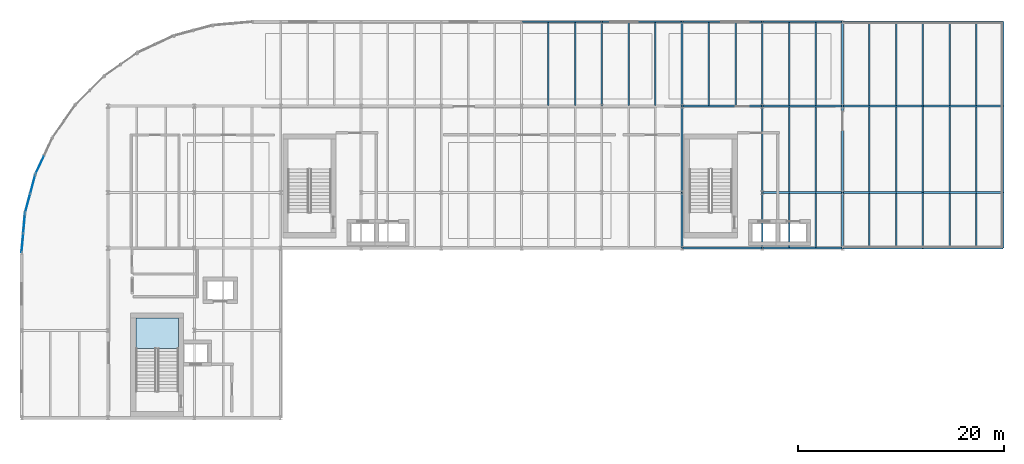
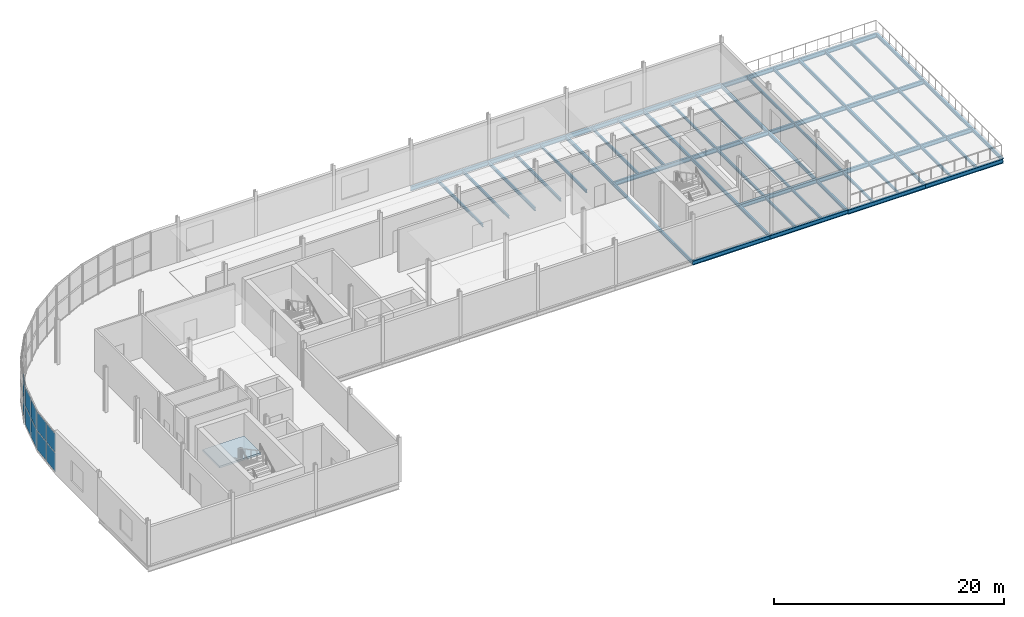
# One storey, part 8 of 15: 57 beams, 10 plates, 1 slab, 4 elements without a shape of their own.
"""IFC4 building model written with IfcOpenShell, lengths in metres."""

from ifc_helpers import new_model, si_unit, direction, frame, origin, origin_2d, place, context, subcontext, project, spatial, polyline, rectangle, i_section, outline, extrude, material, layer, layer_set, material_profile, profile_set, type_object, element, aggregate, save


model = new_model("IFC4")

# Units and contexts
model_context = context("Model", 3, precision=1e-05, world=origin(), true_north=direction((0.0, 1.0)))
body_context = subcontext(model_context, "Body", "Model", "MODEL_VIEW")
ifc_project = project(units=[si_unit("LENGTHUNIT", "METRE"), si_unit("AREAUNIT", "SQUARE_METRE"), si_unit("VOLUMEUNIT", "CUBIC_METRE"), si_unit("PLANEANGLEUNIT", "RADIAN"), si_unit("MASSUNIT", "GRAM", prefix="KILO")], contexts=[model_context])

# Site, building, storey
site_placement = place(None, origin())
site = spatial("IfcSite", under=ifc_project, at=site_placement, CompositionType="ELEMENT")
building_placement = place(site_placement, origin())
building = spatial("IfcBuilding", under=site, at=building_placement, Name="Sefraquen Railside Congress Hotel", CompositionType="ELEMENT")
storey_placement = place(building_placement, frame((0.0, 0.0, 46.800048828125)))
storey = spatial("IfcBuildingStorey", under=building, at=storey_placement, Name="L11", CompositionType="ELEMENT", Elevation=46.800048828125)

# Beams
ifc_material_1 = material(Name="Steel S355JR", Category="steel")
ifc_material_profile_1 = material_profile(ifc_material_1, i_section(OverallWidth=0.169921875, OverallDepth=0.360107421875, WebThickness=0.008056640625, FlangeThickness=0.0126953125, FilletRadius=0.01806640625, at=origin_2d()), Name="IPE 360")
ifc_profile_set_1 = profile_set([ifc_material_profile_1], Name="Steel S355JR")
beam_type_1 = type_object("IfcBeamType", Name="TB-BM-360", PredefinedType="BEAM", material=ifc_profile_set_1)
beam_1_placement = place(storey_placement, frame((56.39990234375, 109.800048828125, -0.43994140625), z_axis=(0.0, 1.0, 0.0), x_axis=(-1.0, 0.0, 0.0)))
element("IfcBeam", 1, at=beam_1_placement, inside=storey, type_object=beam_type_1, Name="Floor beam BM-L11-2219", PredefinedType="BEAM", context=body_context, shape_type="SweptSolid", body=[
    extrude(i_section(OverallWidth=0.169921875, OverallDepth=0.360107421875, WebThickness=0.008056640625, FlangeThickness=0.0126953125, FilletRadius=0.01806640625, at=origin_2d()), origin(), (0.0, 0.0, 1.0), 8.199951171875),
])
beam_2_placement = place(storey_placement, frame((64.199951171875, 96.0, -0.43994140625), z_axis=(0.0, 1.0, 0.0), x_axis=(-1.0, 0.0, 0.0)))
element("IfcBeam", 2, at=beam_2_placement, inside=storey, type_object=beam_type_1, Name="Floor beam BM-L11-2220", PredefinedType="BEAM", context=body_context, shape_type="SweptSolid", body=[
    extrude(i_section(OverallWidth=0.169921875, OverallDepth=0.360107421875, WebThickness=0.008056640625, FlangeThickness=0.0126953125, FilletRadius=0.01806640625, at=origin_2d()), origin(), (0.0, 0.0, 1.0), 5.39990234375),
])
beam_3_placement = place(storey_placement, frame((64.199951171875, 101.39990234375, -0.43994140625), z_axis=(0.0, 1.0, 0.0), x_axis=(-1.0, 0.0, 0.0)))
element("IfcBeam", 3, at=beam_3_placement, inside=storey, type_object=beam_type_1, Name="Floor beam BM-L11-2221", PredefinedType="BEAM", context=body_context, shape_type="SweptSolid", body=[
    extrude(i_section(OverallWidth=0.169921875, OverallDepth=0.360107421875, WebThickness=0.008056640625, FlangeThickness=0.0126953125, FilletRadius=0.01806640625, at=origin_2d()), origin(), (0.0, 0.0, 1.0), 8.400146484375),
])
beam_4_placement = place(storey_placement, frame((64.199951171875, 109.800048828125, -0.43994140625), z_axis=(0.0, 1.0, 0.0), x_axis=(-1.0, 0.0, 0.0)))
element("IfcBeam", 4, at=beam_4_placement, inside=storey, type_object=beam_type_1, Name="Floor beam BM-L11-2222", PredefinedType="BEAM", context=body_context, shape_type="SweptSolid", body=[
    extrude(i_section(OverallWidth=0.169921875, OverallDepth=0.360107421875, WebThickness=0.008056640625, FlangeThickness=0.0126953125, FilletRadius=0.01806640625, at=origin_2d()), origin(), (0.0, 0.0, 1.0), 8.199951171875),
])
beam_5_placement = place(storey_placement, frame((72.0, 96.0, -0.43994140625), z_axis=(0.0, 1.0, 0.0), x_axis=(-1.0, 0.0, 0.0)))
element("IfcBeam", 5, at=beam_5_placement, inside=storey, type_object=beam_type_1, Name="Floor beam BM-L11-2223", PredefinedType="BEAM", context=body_context, shape_type="SweptSolid", body=[
    extrude(i_section(OverallWidth=0.169921875, OverallDepth=0.360107421875, WebThickness=0.008056640625, FlangeThickness=0.0126953125, FilletRadius=0.01806640625, at=origin_2d()), origin(), (0.0, 0.0, 1.0), 5.39990234375),
])
beam_6_placement = place(storey_placement, frame((72.0, 101.39990234375, -0.43994140625), z_axis=(0.0, 1.0, 0.0), x_axis=(-1.0, 0.0, 0.0)))
element("IfcBeam", 6, at=beam_6_placement, inside=storey, type_object=beam_type_1, Name="Floor beam BM-L11-2224", PredefinedType="BEAM", context=body_context, shape_type="SweptSolid", body=[
    extrude(i_section(OverallWidth=0.169921875, OverallDepth=0.360107421875, WebThickness=0.008056640625, FlangeThickness=0.0126953125, FilletRadius=0.01806640625, at=origin_2d()), origin(), (0.0, 0.0, 1.0), 8.400146484375),
])
beam_7_placement = place(storey_placement, frame((72.0, 109.800048828125, -0.43994140625), z_axis=(0.0, 1.0, 0.0), x_axis=(-1.0, 0.0, 0.0)))
element("IfcBeam", 7, at=beam_7_placement, inside=storey, type_object=beam_type_1, Name="Floor beam BM-L11-2225", PredefinedType="BEAM", context=body_context, shape_type="SweptSolid", body=[
    extrude(i_section(OverallWidth=0.169921875, OverallDepth=0.360107421875, WebThickness=0.008056640625, FlangeThickness=0.0126953125, FilletRadius=0.01806640625, at=origin_2d()), origin(), (0.0, 0.0, 1.0), 8.199951171875),
])
beam_8_placement = place(storey_placement, frame((79.800048828125, 96.0, -0.5), z_axis=(0.0, 1.0, 0.0), x_axis=(-1.0, 0.0, 0.0)))
element("IfcBeam", 8, at=beam_8_placement, inside=storey, type_object=beam_type_1, Name="Floor beam BM-L11-2226", PredefinedType="BEAM", context=body_context, shape_type="SweptSolid", body=[
    extrude(i_section(OverallWidth=0.169921875, OverallDepth=0.360107421875, WebThickness=0.008056640625, FlangeThickness=0.0126953125, FilletRadius=0.01806640625, at=origin_2d()), origin(), (0.0, 0.0, 1.0), 5.39990234375),
])
beam_9_placement = place(storey_placement, frame((79.800048828125, 101.39990234375, -0.5), z_axis=(0.0, 1.0, 0.0), x_axis=(-1.0, 0.0, 0.0)))
element("IfcBeam", 9, at=beam_9_placement, inside=storey, type_object=beam_type_1, Name="Floor beam BM-L11-2227", PredefinedType="BEAM", context=body_context, shape_type="SweptSolid", body=[
    extrude(i_section(OverallWidth=0.169921875, OverallDepth=0.360107421875, WebThickness=0.008056640625, FlangeThickness=0.0126953125, FilletRadius=0.01806640625, at=origin_2d()), origin(), (0.0, 0.0, 1.0), 8.400146484375),
])
beam_10_placement = place(storey_placement, frame((79.800048828125, 109.800048828125, -0.5), z_axis=(0.0, 1.0, 0.0), x_axis=(-1.0, 0.0, 0.0)))
element("IfcBeam", 10, at=beam_10_placement, inside=storey, type_object=beam_type_1, Name="Floor beam BM-L11-2228", PredefinedType="BEAM", context=body_context, shape_type="SweptSolid", body=[
    extrude(i_section(OverallWidth=0.169921875, OverallDepth=0.360107421875, WebThickness=0.008056640625, FlangeThickness=0.0126953125, FilletRadius=0.01806640625, at=origin_2d()), origin(), (0.0, 0.0, 1.0), 8.199951171875),
])
beam_11_placement = place(storey_placement, frame((87.60009765625, 96.0, -0.5), z_axis=(0.0, 1.0, 0.0), x_axis=(-1.0, 0.0, 0.0)))
element("IfcBeam", 11, at=beam_11_placement, inside=storey, type_object=beam_type_1, Name="Floor beam BM-L11-2229", PredefinedType="BEAM", context=body_context, shape_type="SweptSolid", body=[
    extrude(i_section(OverallWidth=0.169921875, OverallDepth=0.360107421875, WebThickness=0.008056640625, FlangeThickness=0.0126953125, FilletRadius=0.01806640625, at=origin_2d()), origin(), (0.0, 0.0, 1.0), 5.39990234375),
])
beam_12_placement = place(storey_placement, frame((87.60009765625, 101.39990234375, -0.5), z_axis=(0.0, 1.0, 0.0), x_axis=(-1.0, 0.0, 0.0)))
element("IfcBeam", 12, at=beam_12_placement, inside=storey, type_object=beam_type_1, Name="Floor beam BM-L11-2230", PredefinedType="BEAM", context=body_context, shape_type="SweptSolid", body=[
    extrude(i_section(OverallWidth=0.169921875, OverallDepth=0.360107421875, WebThickness=0.008056640625, FlangeThickness=0.0126953125, FilletRadius=0.01806640625, at=origin_2d()), origin(), (0.0, 0.0, 1.0), 8.400146484375),
])
beam_13_placement = place(storey_placement, frame((87.60009765625, 109.800048828125, -0.5), z_axis=(0.0, 1.0, 0.0), x_axis=(-1.0, 0.0, 0.0)))
element("IfcBeam", 13, at=beam_13_placement, inside=storey, type_object=beam_type_1, Name="Floor beam BM-L11-2231", PredefinedType="BEAM", context=body_context, shape_type="SweptSolid", body=[
    extrude(i_section(OverallWidth=0.169921875, OverallDepth=0.360107421875, WebThickness=0.008056640625, FlangeThickness=0.0126953125, FilletRadius=0.01806640625, at=origin_2d()), origin(), (0.0, 0.0, 1.0), 8.199951171875),
])
beam_14_placement = place(storey_placement, frame((95.39990234375, 96.0, -0.5), z_axis=(0.0, 1.0, 0.0), x_axis=(-1.0, 0.0, 0.0)))
element("IfcBeam", 14, at=beam_14_placement, inside=storey, type_object=beam_type_1, Name="Floor beam BM-L11-2232", PredefinedType="BEAM", context=body_context, shape_type="SweptSolid", body=[
    extrude(i_section(OverallWidth=0.169921875, OverallDepth=0.360107421875, WebThickness=0.008056640625, FlangeThickness=0.0126953125, FilletRadius=0.01806640625, at=origin_2d()), origin(), (0.0, 0.0, 1.0), 5.39990234375),
])
beam_15_placement = place(storey_placement, frame((95.39990234375, 101.39990234375, -0.5), z_axis=(0.0, 1.0, 0.0), x_axis=(-1.0, 0.0, 0.0)))
element("IfcBeam", 15, at=beam_15_placement, inside=storey, type_object=beam_type_1, Name="Floor beam BM-L11-2233", PredefinedType="BEAM", context=body_context, shape_type="SweptSolid", body=[
    extrude(i_section(OverallWidth=0.169921875, OverallDepth=0.360107421875, WebThickness=0.008056640625, FlangeThickness=0.0126953125, FilletRadius=0.01806640625, at=origin_2d()), origin(), (0.0, 0.0, 1.0), 8.400146484375),
])
beam_16_placement = place(storey_placement, frame((95.39990234375, 109.800048828125, -0.5), z_axis=(0.0, 1.0, 0.0), x_axis=(-1.0, 0.0, 0.0)))
element("IfcBeam", 16, at=beam_16_placement, inside=storey, type_object=beam_type_1, Name="Floor beam BM-L11-2234", PredefinedType="BEAM", context=body_context, shape_type="SweptSolid", body=[
    extrude(i_section(OverallWidth=0.169921875, OverallDepth=0.360107421875, WebThickness=0.008056640625, FlangeThickness=0.0126953125, FilletRadius=0.01806640625, at=origin_2d()), origin(), (0.0, 0.0, 1.0), 8.199951171875),
])
ifc_material_profile_2 = material_profile(ifc_material_1, i_section(OverallWidth=0.18994140625, OverallDepth=0.449951171875, WebThickness=0.009521484375, FlangeThickness=0.0146484375, FilletRadius=0.02099609375, at=origin_2d()), Name="IPE 450")
ifc_profile_set_2 = profile_set([ifc_material_profile_2], Name="Steel S355JR")
beam_type_2 = type_object("IfcBeamType", Name="TB-BM-450", PredefinedType="BEAM", material=ifc_profile_set_2)
for number, where, z_axis, x_axis, name in (
    (17, (64.199951171875, 96.0, -0.485107421875), (1.0, 0.0, 0.0), (0.0, 1.0, 0.0), "Primary girder BM-L11-2161"),
    (18, (72.0, 96.0, -0.485107421875), (1.0, 0.0, 0.0), (0.0, 1.0, 0.0), "Primary girder BM-L11-2162"),
    (19, (79.800048828125, 96.0, -0.545166015625), (1.0, 0.0, 0.0), (0.0, 1.0, 0.0), "Primary girder BM-L11-2163"),
):
    element("IfcBeam", number, at=place(storey_placement, frame(where, z_axis=z_axis, x_axis=x_axis)), inside=storey, type_object=beam_type_2, Name=name, PredefinedType="BEAM", context=body_context, shape_type="SweptSolid", body=[
        extrude(i_section(OverallWidth=0.18994140625, OverallDepth=0.449951171875, WebThickness=0.009521484375, FlangeThickness=0.0146484375, FilletRadius=0.02099609375, at=origin_2d()), origin(), (0.0, 0.0, 1.0), 7.800048828125),
    ])
beam_17_placement = place(storey_placement, frame((87.60009765625, 96.0, -0.545166015625), z_axis=(1.0, 0.0, 0.0), x_axis=(0.0, 1.0, 0.0)))
element("IfcBeam", 20, at=beam_17_placement, inside=storey, type_object=beam_type_2, Name="Primary girder BM-L11-2164", PredefinedType="BEAM", context=body_context, shape_type="SweptSolid", body=[
    extrude(i_section(OverallWidth=0.18994140625, OverallDepth=0.449951171875, WebThickness=0.009521484375, FlangeThickness=0.0146484375, FilletRadius=0.02099609375, at=origin_2d()), origin(), (0.0, 0.0, 1.0), 7.7998046875),
])
for number, where, z_axis, x_axis, name in (
    (21, (72.0, 101.39990234375, -0.485107421875), (1.0, 0.0, 0.0), (0.0, 1.0, 0.0), "Primary girder BM-L11-2171"),
    (22, (79.800048828125, 101.39990234375, -0.545166015625), (1.0, 0.0, 0.0), (0.0, 1.0, 0.0), "Primary girder BM-L11-2172"),
):
    element("IfcBeam", number, at=place(storey_placement, frame(where, z_axis=z_axis, x_axis=x_axis)), inside=storey, type_object=beam_type_2, Name=name, PredefinedType="BEAM", context=body_context, shape_type="SweptSolid", body=[
        extrude(i_section(OverallWidth=0.18994140625, OverallDepth=0.449951171875, WebThickness=0.009521484375, FlangeThickness=0.0146484375, FilletRadius=0.02099609375, at=origin_2d()), origin(), (0.0, 0.0, 1.0), 7.800048828125),
    ])
beam_18_placement = place(storey_placement, frame((87.60009765625, 101.39990234375, -0.545166015625), z_axis=(1.0, 0.0, 0.0), x_axis=(0.0, 1.0, 0.0)))
element("IfcBeam", 23, at=beam_18_placement, inside=storey, type_object=beam_type_2, Name="Primary girder BM-L11-2173", PredefinedType="BEAM", context=body_context, shape_type="SweptSolid", body=[
    extrude(i_section(OverallWidth=0.18994140625, OverallDepth=0.449951171875, WebThickness=0.009521484375, FlangeThickness=0.0146484375, FilletRadius=0.02099609375, at=origin_2d()), origin(), (0.0, 0.0, 1.0), 7.7998046875),
])
for number, where, z_axis, x_axis, name in (
    (24, (64.199951171875, 109.800048828125, -0.485107421875), (1.0, 0.0, 0.0), (0.0, 1.0, 0.0), "Primary girder BM-L11-2181"),
    (25, (72.0, 109.800048828125, -0.485107421875), (1.0, 0.0, 0.0), (0.0, 1.0, 0.0), "Primary girder BM-L11-2182"),
    (26, (79.800048828125, 109.800048828125, -0.545166015625), (1.0, 0.0, 0.0), (0.0, 1.0, 0.0), "Primary girder BM-L11-2183"),
):
    element("IfcBeam", number, at=place(storey_placement, frame(where, z_axis=z_axis, x_axis=x_axis)), inside=storey, type_object=beam_type_2, Name=name, PredefinedType="BEAM", context=body_context, shape_type="SweptSolid", body=[
        extrude(i_section(OverallWidth=0.18994140625, OverallDepth=0.449951171875, WebThickness=0.009521484375, FlangeThickness=0.0146484375, FilletRadius=0.02099609375, at=origin_2d()), origin(), (0.0, 0.0, 1.0), 7.800048828125),
    ])
for number, where, z_axis, x_axis, name in (
    (27, (87.60009765625, 109.800048828125, -0.545166015625), (1.0, 0.0, 0.0), (0.0, 1.0, 0.0), "Primary girder BM-L11-2184"),
    (28, (48.60009765625, 118.0, -0.485107421875), (1.0, 0.0, 0.0), (0.0, 1.0, 0.0), "Primary girder BM-L11-2188"),
):
    element("IfcBeam", number, at=place(storey_placement, frame(where, z_axis=z_axis, x_axis=x_axis)), inside=storey, type_object=beam_type_2, Name=name, PredefinedType="BEAM", context=body_context, shape_type="SweptSolid", body=[
        extrude(i_section(OverallWidth=0.18994140625, OverallDepth=0.449951171875, WebThickness=0.009521484375, FlangeThickness=0.0146484375, FilletRadius=0.02099609375, at=origin_2d()), origin(), (0.0, 0.0, 1.0), 7.7998046875),
    ])
for number, where, z_axis, x_axis, name in (
    (29, (56.39990234375, 118.0, -0.485107421875), (1.0, 0.0, 0.0), (0.0, 1.0, 0.0), "Primary girder BM-L11-2189"),
    (30, (64.199951171875, 118.0, -0.485107421875), (1.0, 0.0, 0.0), (0.0, 1.0, 0.0), "Primary girder BM-L11-2190"),
    (31, (72.0, 118.0, -0.485107421875), (1.0, 0.0, 0.0), (0.0, 1.0, 0.0), "Primary girder BM-L11-2191"),
    (32, (79.800048828125, 118.0, -0.545166015625), (1.0, 0.0, 0.0), (0.0, 1.0, 0.0), "Primary girder BM-L11-2192"),
):
    element("IfcBeam", number, at=place(storey_placement, frame(where, z_axis=z_axis, x_axis=x_axis)), inside=storey, type_object=beam_type_2, Name=name, PredefinedType="BEAM", context=body_context, shape_type="SweptSolid", body=[
        extrude(i_section(OverallWidth=0.18994140625, OverallDepth=0.449951171875, WebThickness=0.009521484375, FlangeThickness=0.0146484375, FilletRadius=0.02099609375, at=origin_2d()), origin(), (0.0, 0.0, 1.0), 7.800048828125),
    ])
beam_19_placement = place(storey_placement, frame((87.60009765625, 118.0, -0.545166015625), z_axis=(1.0, 0.0, 0.0), x_axis=(0.0, 1.0, 0.0)))
element("IfcBeam", 33, at=beam_19_placement, inside=storey, type_object=beam_type_2, Name="Primary girder BM-L11-2193", PredefinedType="BEAM", context=body_context, shape_type="SweptSolid", body=[
    extrude(i_section(OverallWidth=0.18994140625, OverallDepth=0.449951171875, WebThickness=0.009521484375, FlangeThickness=0.0146484375, FilletRadius=0.02099609375, at=origin_2d()), origin(), (0.0, 0.0, 1.0), 7.7998046875),
])
ifc_material_profile_3 = material_profile(ifc_material_1, i_section(OverallWidth=0.14990234375, OverallDepth=0.300048828125, WebThickness=0.007080078125, FlangeThickness=0.0107421875, FilletRadius=0.014892578125, at=origin_2d()), Name="IPE 300")
ifc_profile_set_3 = profile_set([ifc_material_profile_3], Name="Steel S355JR")
beam_type_3 = type_object("IfcBeamType", Name="TB-JST-300", PredefinedType="JOIST", material=ifc_profile_set_3)
for number, where, z_axis, x_axis, name in (
    (34, (51.199951171875, 109.875, -0.41015625), (0.0, 1.0, 0.0), (-1.0, 0.0, 0.0), "Composite floor joist BM-L11-J1500"),
    (35, (53.800048828125, 109.875, -0.41015625), (0.0, 1.0, 0.0), (-1.0, 0.0, 0.0), "Composite floor joist BM-L11-J1501"),
    (36, (59.0, 109.875, -0.41015625), (0.0, 1.0, 0.0), (-1.0, 0.0, 0.0), "Composite floor joist BM-L11-J1506"),
    (37, (61.60009765625, 109.875, -0.41015625), (0.0, 1.0, 0.0), (-1.0, 0.0, 0.0), "Composite floor joist BM-L11-J1507"),
    (38, (66.800048828125, 109.875, -0.41015625), (0.0, 1.0, 0.0), (-1.0, 0.0, 0.0), "Composite floor joist BM-L11-J1508"),
    (39, (69.39990234375, 109.875, -0.41015625), (0.0, 1.0, 0.0), (-1.0, 0.0, 0.0), "Composite floor joist BM-L11-J1509"),
):
    element("IfcBeam", number, at=place(storey_placement, frame(where, z_axis=z_axis, x_axis=x_axis)), inside=storey, type_object=beam_type_3, Name=name, PredefinedType="JOIST", context=body_context, shape_type="SweptSolid", body=[
        extrude(i_section(OverallWidth=0.14990234375, OverallDepth=0.300048828125, WebThickness=0.007080078125, FlangeThickness=0.0107421875, FilletRadius=0.014892578125, at=origin_2d()), origin(), (0.0, 0.0, 1.0), 8.050048828125),
    ])
for number, where, z_axis, x_axis, name in (
    (40, (74.60009765625, 96.074951171875, -0.41015625), (0.0, 1.0, 0.0), (-1.0, 0.0, 0.0), "Composite floor joist BM-L11-J1510"),
    (41, (77.199951171875, 96.074951171875, -0.41015625), (0.0, 1.0, 0.0), (-1.0, 0.0, 0.0), "Composite floor joist BM-L11-J1511"),
):
    element("IfcBeam", number, at=place(storey_placement, frame(where, z_axis=z_axis, x_axis=x_axis)), inside=storey, type_object=beam_type_3, Name=name, PredefinedType="JOIST", context=body_context, shape_type="SweptSolid", body=[
        extrude(i_section(OverallWidth=0.14990234375, OverallDepth=0.300048828125, WebThickness=0.007080078125, FlangeThickness=0.0107421875, FilletRadius=0.014892578125, at=origin_2d()), origin(), (0.0, 0.0, 1.0), 5.25),
    ])
for number, where, z_axis, x_axis, name in (
    (42, (74.60009765625, 101.47509765625, -0.41015625), (0.0, 1.0, 0.0), (-1.0, 0.0, 0.0), "Composite floor joist BM-L11-J1512"),
    (43, (77.199951171875, 101.47509765625, -0.41015625), (0.0, 1.0, 0.0), (-1.0, 0.0, 0.0), "Composite floor joist BM-L11-J1513"),
):
    element("IfcBeam", number, at=place(storey_placement, frame(where, z_axis=z_axis, x_axis=x_axis)), inside=storey, type_object=beam_type_3, Name=name, PredefinedType="JOIST", context=body_context, shape_type="SweptSolid", body=[
        extrude(i_section(OverallWidth=0.14990234375, OverallDepth=0.300048828125, WebThickness=0.007080078125, FlangeThickness=0.0107421875, FilletRadius=0.014892578125, at=origin_2d()), origin(), (0.0, 0.0, 1.0), 8.25),
    ])
for number, where, z_axis, x_axis, name in (
    (44, (74.60009765625, 109.875, -0.41015625), (0.0, 1.0, 0.0), (-1.0, 0.0, 0.0), "Composite floor joist BM-L11-J1514"),
    (45, (77.199951171875, 109.875, -0.41015625), (0.0, 1.0, 0.0), (-1.0, 0.0, 0.0), "Composite floor joist BM-L11-J1515"),
):
    element("IfcBeam", number, at=place(storey_placement, frame(where, z_axis=z_axis, x_axis=x_axis)), inside=storey, type_object=beam_type_3, Name=name, PredefinedType="JOIST", context=body_context, shape_type="SweptSolid", body=[
        extrude(i_section(OverallWidth=0.14990234375, OverallDepth=0.300048828125, WebThickness=0.007080078125, FlangeThickness=0.0107421875, FilletRadius=0.014892578125, at=origin_2d()), origin(), (0.0, 0.0, 1.0), 8.050048828125),
    ])
for number, where, z_axis, x_axis, name in (
    (46, (82.39990234375, 96.074951171875, -0.469970703125), (0.0, 1.0, 0.0), (-1.0, 0.0, 0.0), "Composite floor joist BM-L11-J1516"),
    (47, (85.0, 96.074951171875, -0.469970703125), (0.0, 1.0, 0.0), (-1.0, 0.0, 0.0), "Composite floor joist BM-L11-J1517"),
):
    element("IfcBeam", number, at=place(storey_placement, frame(where, z_axis=z_axis, x_axis=x_axis)), inside=storey, type_object=beam_type_3, Name=name, PredefinedType="JOIST", context=body_context, shape_type="SweptSolid", body=[
        extrude(i_section(OverallWidth=0.14990234375, OverallDepth=0.300048828125, WebThickness=0.007080078125, FlangeThickness=0.0107421875, FilletRadius=0.014892578125, at=origin_2d()), origin(), (0.0, 0.0, 1.0), 5.25),
    ])
for number, where, z_axis, x_axis, name in (
    (48, (82.39990234375, 101.47509765625, -0.469970703125), (0.0, 1.0, 0.0), (-1.0, 0.0, 0.0), "Composite floor joist BM-L11-J1518"),
    (49, (85.0, 101.47509765625, -0.469970703125), (0.0, 1.0, 0.0), (-1.0, 0.0, 0.0), "Composite floor joist BM-L11-J1519"),
):
    element("IfcBeam", number, at=place(storey_placement, frame(where, z_axis=z_axis, x_axis=x_axis)), inside=storey, type_object=beam_type_3, Name=name, PredefinedType="JOIST", context=body_context, shape_type="SweptSolid", body=[
        extrude(i_section(OverallWidth=0.14990234375, OverallDepth=0.300048828125, WebThickness=0.007080078125, FlangeThickness=0.0107421875, FilletRadius=0.014892578125, at=origin_2d()), origin(), (0.0, 0.0, 1.0), 8.25),
    ])
for number, where, z_axis, x_axis, name in (
    (50, (82.39990234375, 109.875, -0.469970703125), (0.0, 1.0, 0.0), (-1.0, 0.0, 0.0), "Composite floor joist BM-L11-J1520"),
    (51, (85.0, 109.875, -0.469970703125), (0.0, 1.0, 0.0), (-1.0, 0.0, 0.0), "Composite floor joist BM-L11-J1521"),
):
    element("IfcBeam", number, at=place(storey_placement, frame(where, z_axis=z_axis, x_axis=x_axis)), inside=storey, type_object=beam_type_3, Name=name, PredefinedType="JOIST", context=body_context, shape_type="SweptSolid", body=[
        extrude(i_section(OverallWidth=0.14990234375, OverallDepth=0.300048828125, WebThickness=0.007080078125, FlangeThickness=0.0107421875, FilletRadius=0.014892578125, at=origin_2d()), origin(), (0.0, 0.0, 1.0), 8.050048828125),
    ])
for number, where, z_axis, x_axis, name in (
    (52, (90.199951171875, 96.074951171875, -0.469970703125), (0.0, 1.0, 0.0), (-1.0, 0.0, 0.0), "Composite floor joist BM-L11-J1522"),
    (53, (92.800048828125, 96.074951171875, -0.469970703125), (0.0, 1.0, 0.0), (-1.0, 0.0, 0.0), "Composite floor joist BM-L11-J1523"),
):
    element("IfcBeam", number, at=place(storey_placement, frame(where, z_axis=z_axis, x_axis=x_axis)), inside=storey, type_object=beam_type_3, Name=name, PredefinedType="JOIST", context=body_context, shape_type="SweptSolid", body=[
        extrude(i_section(OverallWidth=0.14990234375, OverallDepth=0.300048828125, WebThickness=0.007080078125, FlangeThickness=0.0107421875, FilletRadius=0.014892578125, at=origin_2d()), origin(), (0.0, 0.0, 1.0), 5.25),
    ])
for number, where, z_axis, x_axis, name in (
    (54, (90.199951171875, 101.47509765625, -0.469970703125), (0.0, 1.0, 0.0), (-1.0, 0.0, 0.0), "Composite floor joist BM-L11-J1524"),
    (55, (92.800048828125, 101.47509765625, -0.469970703125), (0.0, 1.0, 0.0), (-1.0, 0.0, 0.0), "Composite floor joist BM-L11-J1525"),
):
    element("IfcBeam", number, at=place(storey_placement, frame(where, z_axis=z_axis, x_axis=x_axis)), inside=storey, type_object=beam_type_3, Name=name, PredefinedType="JOIST", context=body_context, shape_type="SweptSolid", body=[
        extrude(i_section(OverallWidth=0.14990234375, OverallDepth=0.300048828125, WebThickness=0.007080078125, FlangeThickness=0.0107421875, FilletRadius=0.014892578125, at=origin_2d()), origin(), (0.0, 0.0, 1.0), 8.25),
    ])
for number, where, z_axis, x_axis, name in (
    (56, (90.199951171875, 109.875, -0.469970703125), (0.0, 1.0, 0.0), (-1.0, 0.0, 0.0), "Composite floor joist BM-L11-J1526"),
    (57, (92.800048828125, 109.875, -0.469970703125), (0.0, 1.0, 0.0), (-1.0, 0.0, 0.0), "Composite floor joist BM-L11-J1527"),
):
    element("IfcBeam", number, at=place(storey_placement, frame(where, z_axis=z_axis, x_axis=x_axis)), inside=storey, type_object=beam_type_3, Name=name, PredefinedType="JOIST", context=body_context, shape_type="SweptSolid", body=[
        extrude(i_section(OverallWidth=0.14990234375, OverallDepth=0.300048828125, WebThickness=0.007080078125, FlangeThickness=0.0107421875, FilletRadius=0.014892578125, at=origin_2d()), origin(), (0.0, 0.0, 1.0), 8.050048828125),
    ])

# Curtain wall, plate
ifc_material_2 = material(Name="Thermally broken anodised aluminium and low-E double glazing", Category="aluminium")
ifc_layer_1 = layer(ifc_material_2, 0.199951171875)
ifc_layer_set_1 = layer_set([ifc_layer_1], Name="Thermally broken anodised aluminium and low-E double glazing")
curtain_wall_type_1 = type_object("IfcCurtainWallType", Name="TCW-UCW-10", PredefinedType="USERDEFINED", material=ifc_layer_set_1)
curtain_wall_1_placement = place(storey_placement, origin())
curtain_wall_1 = element("IfcCurtainWall", 58, at=curtain_wall_1_placement, inside=storey, type_object=curtain_wall_type_1, Name="Rotunda L11 curved curtain wall facet 7", ObjectType="UNITISED CURTAIN WALL", PredefinedType="USERDEFINED")
ifc_material_3 = material(Name="Solar-control low-E double glazing", Category="glass")
ifc_layer_2 = layer(ifc_material_3, 0.02392578125)
ifc_layer_set_2 = layer_set([ifc_layer_2], Name="Solar-control low-E double glazing")
plate_type_1 = type_object("IfcPlateType", Name="TP-CWP-01", PredefinedType="CURTAIN_PANEL", material=ifc_layer_set_2)
plate_1_placement = place(storey_placement, frame((1.77978515625, 104.102294921875, 0.0400390625), z_axis=(0.0, 0.0, 1.0), x_axis=(-0.422634079731, -0.906300410818, 0.0)))
plate_1 = element("IfcPlate", 59, at=plate_1_placement, type_object=plate_type_1, Name="CW-L11-ROT-07 panel 1.2", PredefinedType="CURTAIN_PANEL", context=body_context, shape_type="SweptSolid", body=[
    extrude(rectangle(XDim=1.830810546875, YDim=0.02392578125, at=origin_2d()), origin(), (0.0, 0.0, 1.0), 1.965087890625),
])

# Curtain wall, plates
ifc_layer_3 = layer(ifc_material_2, 0.199951171875)
ifc_layer_set_3 = layer_set([ifc_layer_3], Name="Thermally broken anodised aluminium and low-E double glazing")
curtain_wall_type_2 = type_object("IfcCurtainWallType", Name="TCW-UCW-11", PredefinedType="USERDEFINED", material=ifc_layer_set_3)
curtain_wall_2_placement = place(storey_placement, origin())
curtain_wall_2 = element("IfcCurtainWall", 60, at=curtain_wall_2_placement, inside=storey, type_object=curtain_wall_type_2, Name="Rotunda L11 curved curtain wall facet 8", ObjectType="UNITISED CURTAIN WALL", PredefinedType="USERDEFINED")
plate_2_placement = place(storey_placement, frame((1.097900390625, 102.22900390625, 0.0400390625), z_axis=(0.0, 0.0, 1.0), x_axis=(-0.258785327773, -0.96593486019, 0.0)))
plate_2 = element("IfcPlate", 61, at=plate_2_placement, type_object=plate_type_1, Name="CW-L11-ROT-08 panel 1.1", PredefinedType="CURTAIN_PANEL", context=body_context, shape_type="SweptSolid", body=[
    extrude(rectangle(XDim=1.8310546875, YDim=0.02392578125, at=origin_2d()), origin(), (0.0, 0.0, 1.0), 1.965087890625),
])
plate_3_placement = place(storey_placement, frame((0.6005859375, 100.37353515625, 0.0400390625), z_axis=(0.0, 0.0, 1.0), x_axis=(-0.258785327773, -0.96593486019, 0.0)))
plate_3 = element("IfcPlate", 62, at=plate_3_placement, type_object=plate_type_1, Name="CW-L11-ROT-08 panel 1.2", PredefinedType="CURTAIN_PANEL", context=body_context, shape_type="SweptSolid", body=[
    extrude(rectangle(XDim=1.8310546875, YDim=0.02392578125, at=origin_2d()), origin(), (0.0, 0.0, 1.0), 1.965087890625),
])

ifc_layer_4 = layer(ifc_material_2, 0.199951171875)
ifc_layer_set_4 = layer_set([ifc_layer_4], Name="Thermally broken anodised aluminium and low-E double glazing")
curtain_wall_type_3 = type_object("IfcCurtainWallType", Name="TCW-UCW-12", PredefinedType="USERDEFINED", material=ifc_layer_set_4)
curtain_wall_3_placement = place(storey_placement, origin())
curtain_wall_3 = element("IfcCurtainWall", 63, at=curtain_wall_3_placement, inside=storey, type_object=curtain_wall_type_3, Name="Rotunda L11 curved curtain wall facet 9", ObjectType="UNITISED CURTAIN WALL", PredefinedType="USERDEFINED")
plate_4_placement = place(storey_placement, frame((0.254638671875, 98.410400390625, 0.0400390625), z_axis=(0.0, 0.0, 1.0), x_axis=(-0.087138355857, -0.996196219095, 0.0)))
plate_4 = element("IfcPlate", 64, at=plate_4_placement, type_object=plate_type_1, Name="CW-L11-ROT-09 panel 1.1", PredefinedType="CURTAIN_PANEL", context=body_context, shape_type="SweptSolid", body=[
    extrude(rectangle(XDim=1.8310546875, YDim=0.02392578125, at=origin_2d()), origin(), (0.0, 0.0, 1.0), 1.965087890625),
])
plate_5_placement = place(storey_placement, frame((0.087158203125, 96.49658203125, 0.0400390625), z_axis=(0.0, 0.0, 1.0), x_axis=(-0.087138355857, -0.996196219095, 0.0)))
plate_5 = element("IfcPlate", 65, at=plate_5_placement, type_object=plate_type_1, Name="CW-L11-ROT-09 panel 1.2", PredefinedType="CURTAIN_PANEL", context=body_context, shape_type="SweptSolid", body=[
    extrude(rectangle(XDim=1.8310546875, YDim=0.02392578125, at=origin_2d()), origin(), (0.0, 0.0, 1.0), 1.965087890625),
])

# Plate
ifc_material_4 = material(Name="Triple acoustic solar-control glazing", Category="glass")
ifc_layer_5 = layer(ifc_material_4, 0.031982421875)
ifc_layer_set_5 = layer_set([ifc_layer_5], Name="Triple acoustic solar-control glazing")
plate_type_2 = type_object("IfcPlateType", Name="TP-CWP-02", PredefinedType="CURTAIN_PANEL", material=ifc_layer_set_5)
plate_6_placement = place(storey_placement, frame((1.77978515625, 104.102294921875, 2.0849609375), z_axis=(0.0, 0.0, 1.0), x_axis=(-0.422634079731, -0.906300410818, 0.0)))
plate_6 = element("IfcPlate", 66, at=plate_6_placement, type_object=plate_type_2, Name="CW-L11-ROT-07 panel 2.2", PredefinedType="CURTAIN_PANEL", context=body_context, shape_type="SweptSolid", body=[
    extrude(rectangle(XDim=1.830810546875, YDim=0.031982421875, at=origin_2d()), origin(), (0.0, 0.0, 1.0), 1.965087890625),
])

aggregate(curtain_wall_1, [plate_1, plate_6])

plate_7_placement = place(storey_placement, frame((1.097900390625, 102.22900390625, 2.0849609375), z_axis=(0.0, 0.0, 1.0), x_axis=(-0.258785327773, -0.96593486019, 0.0)))
plate_7 = element("IfcPlate", 67, at=plate_7_placement, type_object=plate_type_2, Name="CW-L11-ROT-08 panel 2.1", PredefinedType="CURTAIN_PANEL", context=body_context, shape_type="SweptSolid", body=[
    extrude(rectangle(XDim=1.8310546875, YDim=0.031982421875, at=origin_2d()), origin(), (0.0, 0.0, 1.0), 1.965087890625),
])

plate_8_placement = place(storey_placement, frame((0.6005859375, 100.37353515625, 2.0849609375), z_axis=(0.0, 0.0, 1.0), x_axis=(-0.258785327773, -0.96593486019, 0.0)))
plate_8 = element("IfcPlate", 68, at=plate_8_placement, type_object=plate_type_2, Name="CW-L11-ROT-08 panel 2.2", PredefinedType="CURTAIN_PANEL", context=body_context, shape_type="SweptSolid", body=[
    extrude(rectangle(XDim=1.8310546875, YDim=0.031982421875, at=origin_2d()), origin(), (0.0, 0.0, 1.0), 1.965087890625),
])

aggregate(curtain_wall_2, [plate_2, plate_3, plate_7, plate_8])

plate_9_placement = place(storey_placement, frame((0.254638671875, 98.410400390625, 2.0849609375), z_axis=(0.0, 0.0, 1.0), x_axis=(-0.087138355857, -0.996196219095, 0.0)))
plate_9 = element("IfcPlate", 69, at=plate_9_placement, type_object=plate_type_2, Name="CW-L11-ROT-09 panel 2.1", PredefinedType="CURTAIN_PANEL", context=body_context, shape_type="SweptSolid", body=[
    extrude(rectangle(XDim=1.8310546875, YDim=0.031982421875, at=origin_2d()), origin(), (0.0, 0.0, 1.0), 1.965087890625),
])

plate_10_placement = place(storey_placement, frame((0.087158203125, 96.49658203125, 2.0849609375), z_axis=(0.0, 0.0, 1.0), x_axis=(-0.087138355857, -0.996196219095, 0.0)))
plate_10 = element("IfcPlate", 70, at=plate_10_placement, type_object=plate_type_2, Name="CW-L11-ROT-09 panel 2.2", PredefinedType="CURTAIN_PANEL", context=body_context, shape_type="SweptSolid", body=[
    extrude(rectangle(XDim=1.8310546875, YDim=0.031982421875, at=origin_2d()), origin(), (0.0, 0.0, 1.0), 1.965087890625),
])

aggregate(curtain_wall_3, [plate_4, plate_5, plate_9, plate_10])

# Stair, slab
ifc_material_5 = material(Name="Concrete C40/50", Category="concrete")
stair_type = type_object("IfcStairType", Name="TST-DOG-198-360", PredefinedType="HALF_TURN_STAIR", material=ifc_material_5)
stair_placement = place(storey_placement, origin())
stair = element("IfcStair", 71, at=stair_placement, inside=storey, type_object=stair_type, Name="L11 Pressurized escape stair ST-H01", PredefinedType="HALF_TURN_STAIR")
ifc_layer_6 = layer(ifc_material_5, 0.199951171875)
ifc_layer_set_6 = layer_set([ifc_layer_6], Name="Concrete C40/50")
slab_type = type_object("IfcSlabType", Name="TS-LD-200", PredefinedType="LANDING", material=ifc_layer_set_6)
slab_placement = place(storey_placement, frame((0.0, 0.0, 2.199951171875)))
slab = element("IfcSlab", 72, at=slab_placement, type_object=slab_type, Name="ST-H01 landing 1", PredefinedType="LANDING", context=body_context, shape_type="SweptSolid", body=[
    extrude(outline(polyline([(15.260009765625, 86.26611328125), (15.260009765625, 89.2119140625), (11.10009765625, 89.2119140625), (11.10009765625, 86.26611328125), (15.260009765625, 86.26611328125)])), origin(), (0.0, 0.0, 1.0), 0.199951171875),
])
aggregate(stair, [slab])

save(model, "model.ifc")
